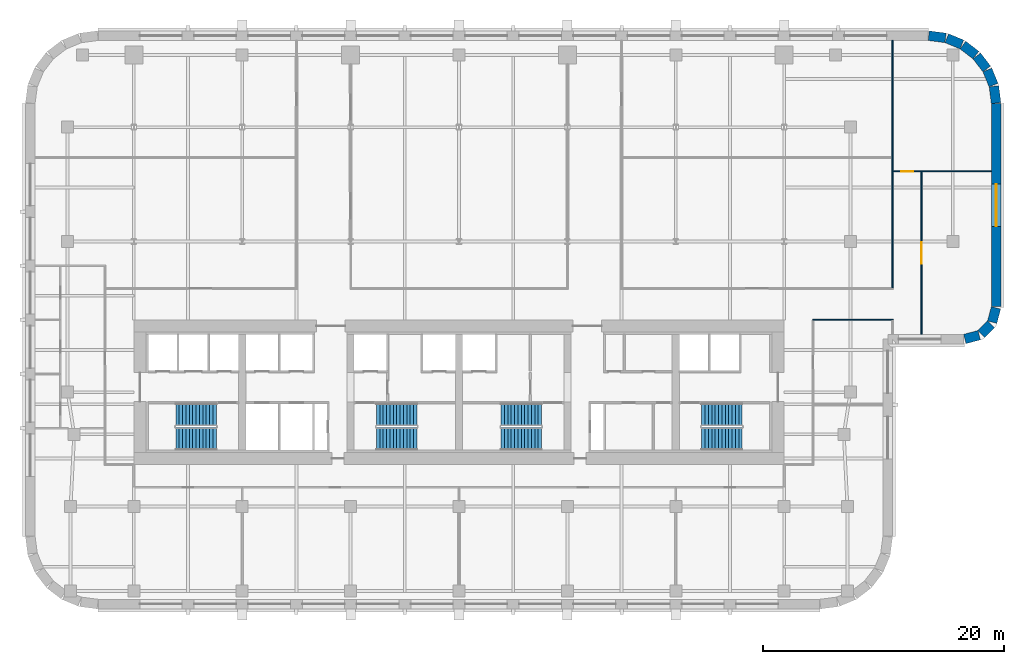
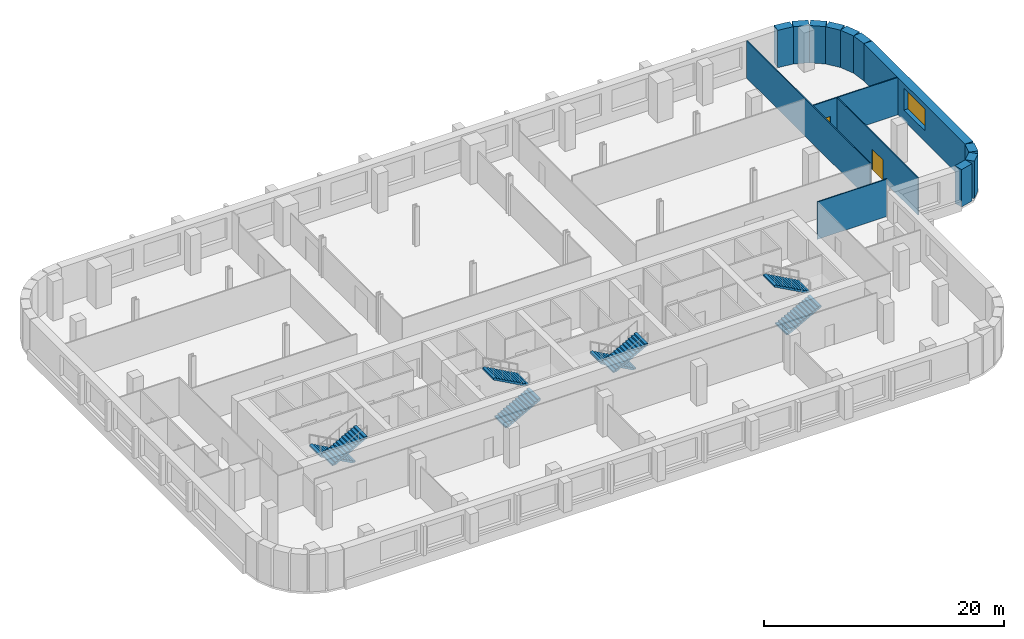
# One storey, part 7 of 9: 14 walls, 8 stair flights, 2 doors, 1 window, 3 openings, 4 elements without a shape of their own.
"""IFC4 building model written with IfcOpenShell, lengths in metres."""

from ifc_helpers import new_model, si_unit, direction, frame, frame_2d, origin, place, context, subcontext, project, spatial, polyline, rectangle, outline, extrude, material, layer, layer_set, type_object, element, fill, aggregate, save


model = new_model("IFC4")

# Units and contexts
model_context = context("Model", 3, precision=1e-05, world=origin(), true_north=direction((0.0, 1.0)))
body_context = subcontext(model_context, "Body", "Model", "MODEL_VIEW")
ifc_project = project(units=[si_unit("LENGTHUNIT", "METRE"), si_unit("AREAUNIT", "SQUARE_METRE"), si_unit("VOLUMEUNIT", "CUBIC_METRE"), si_unit("PLANEANGLEUNIT", "RADIAN"), si_unit("MASSUNIT", "GRAM", prefix="KILO")], contexts=[model_context])

# Site, building, storey
site_placement = place(None, origin())
site = spatial("IfcSite", under=ifc_project, at=site_placement, CompositionType="ELEMENT")
building_placement = place(site_placement, origin())
building = spatial("IfcBuilding", under=site, at=building_placement, Name="Zellij Exchange Tower", CompositionType="ELEMENT")
storey_placement = place(building_placement, frame((0.0, 0.0, 116.5)))
storey = spatial("IfcBuildingStorey", under=building, at=storey_placement, Name="L25", CompositionType="ELEMENT", Elevation=116.5)

# Walls
ifc_material_1 = material(Name="Precast concrete C40/50", Category="concrete")
ifc_layer_1 = layer(ifc_material_1, 0.800048828125)
ifc_layer_set_1 = layer_set([ifc_layer_1], Name="Precast concrete C40/50")
wall_type_1 = type_object("IfcWallType", Name="ENV-EW1 Precast stone-piered wall 800", PredefinedType="SOLIDWALL", material=ifc_layer_set_1)
wall_1_placement = place(storey_placement, frame((41.998291015625, -3.58642578125, 0.0), z_axis=(0.0, 0.0, 1.0), x_axis=(0.965892366842, 0.258943885187, 0.0)))
element("IfcWall", 1, at=wall_1_placement, inside=storey, type_object=wall_type_1, Name="fac.L25.09", PredefinedType="SOLIDWALL", context=body_context, shape_type="SweptSolid", body=[
    extrude(rectangle(XDim=1.233154296875, YDim=0.800048828125, at=frame_2d((0.61669921875, 0.0))), origin(), (0.0, 0.0, 1.0), 3.800048828125),
])
wall_2_placement = place(storey_placement, frame((43.36865234375, -3.163818359375, 0.0), z_axis=(0.0, 0.0, 1.0), x_axis=(0.707106781187, 0.707106781187, 0.0)))
element("IfcWall", 2, at=wall_2_placement, inside=storey, type_object=wall_type_1, Name="fac.L25.10", PredefinedType="SOLIDWALL", context=body_context, shape_type="SweptSolid", body=[
    extrude(rectangle(XDim=1.12451171875, YDim=0.800048828125, at=frame_2d((0.562255859375, 0.0))), origin(), (0.0, 0.0, 1.0), 3.800048828125),
])
wall_3_placement = place(storey_placement, frame((44.26708984375, -2.189453125, 0.0), z_axis=(0.0, 0.0, 1.0), x_axis=(0.258943885187, 0.965892366842, 0.0)))
element("IfcWall", 3, at=wall_3_placement, inside=storey, type_object=wall_type_1, Name="fac.L25.11", PredefinedType="SOLIDWALL", context=body_context, shape_type="SweptSolid", body=[
    extrude(rectangle(XDim=1.233154296875, YDim=0.800048828125, at=frame_2d((0.61669921875, 0.0))), origin(), (0.0, 0.0, 1.0), 3.800048828125),
])

# Wall, opening, window
wall_4_placement = place(storey_placement, frame((44.60009765625, -0.89453125, 0.0), z_axis=(0.0, 0.0, 1.0), x_axis=(0.0, 1.0, 0.0)))
wall_4 = element("IfcWall", 4, at=wall_4_placement, inside=storey, type_object=wall_type_1, Name="fac.L25.12", PredefinedType="SOLIDWALL", context=body_context, shape_type="SweptSolid", body=[
    extrude(rectangle(XDim=16.842041015625, YDim=0.800048828125, at=frame_2d((8.4208984375, 0.0))), origin(), (0.0, 0.0, 1.0), 3.800048828125),
])
opening_1_placement = place(wall_4_placement, frame((6.657958984375, 0.0, 1.10009765625)))
opening_1 = element("IfcOpeningElement", 5, at=opening_1_placement, cuts=wall_4, Name="Opening FZ2.16", PredefinedType="OPENING", context=body_context, shape_type="SweptSolid", body=[
    extrude(rectangle(XDim=3.5, YDim=2.199951171875, at=frame_2d((1.75, 1.10009765625))), frame((0.0, 0.412109375, 0.0), z_axis=(0.0, -1.0, 0.0), x_axis=(1.0, 0.0, 0.0)), (0.0, 0.0, 1.0), 0.823974609375),
])
ifc_material_2 = material(Name="Aluminium frame with insulating glass", Category="aluminium")
window_type = type_object("IfcWindowType", Name="ENV-W7 Window 3500x2200", PartitioningType="SINGLE_PANEL", PredefinedType="WINDOW", material=ifc_material_2)
window_placement = place(opening_1_placement, origin())
window = element("IfcWindow", 6, at=window_placement, inside=storey, type_object=window_type, Name="Window FZ2.16", OverallHeight=2.199951171875, OverallWidth=3.5, PartitioningType="SINGLE_PANEL", PredefinedType="WINDOW", context=body_context, shape_type="SweptSolid", body=[
    extrude(rectangle(XDim=3.5, YDim=2.199951171875, at=frame_2d((1.75, 1.10009765625))), frame((0.0, 0.030029296875, 0.0), z_axis=(0.0, -1.0, 0.0), x_axis=(1.0, 0.0, 0.0)), (0.0, 0.0, 1.0), 0.06005859375),
])
fill(opening_1, window)

# Walls
wall_5_placement = place(storey_placement, frame((44.5966796875, 15.999755859375, 0.0), z_axis=(0.0, 0.0, 1.0), x_axis=(-0.130517283865, 0.99144603414, 0.0)))
element("IfcWall", 7, at=wall_5_placement, inside=storey, type_object=wall_type_1, Name="fac.L25.13", PredefinedType="SOLIDWALL", context=body_context, shape_type="SweptSolid", body=[
    extrude(rectangle(XDim=1.408447265625, YDim=0.800048828125, at=frame_2d((0.7041015625, 0.0))), origin(), (0.0, 0.0, 1.0), 3.800048828125),
])
wall_6_placement = place(storey_placement, frame((44.3857421875, 17.497314453125, 0.0), z_axis=(0.0, 0.0, 1.0), x_axis=(-0.38276009378, 0.923847774587, 0.0)))
element("IfcWall", 8, at=wall_6_placement, inside=storey, type_object=wall_type_1, Name="fac.L25.14", PredefinedType="SOLIDWALL", context=body_context, shape_type="SweptSolid", body=[
    extrude(rectangle(XDim=1.35546875, YDim=0.800048828125, at=frame_2d((0.677734375, 0.0))), origin(), (0.0, 0.0, 1.0), 3.800048828125),
])
for number, where, z_axis, x_axis, name in (
    (9, (43.814697265625, 18.840087890625, 0.0), (0.0, 0.0, 1.0), (-0.608866226366, 0.793272915452, 0.0), "fac.L25.15"),
    (10, (42.91552734375, 19.9892578125, 0.0), (0.0, 0.0, 1.0), (-0.793272915452, 0.608866226366, 0.0), "fac.L25.16"),
):
    element("IfcWall", number, at=place(storey_placement, frame(where, z_axis=z_axis, x_axis=x_axis)), inside=storey, type_object=wall_type_1, Name=name, PredefinedType="SOLIDWALL", context=body_context, shape_type="SweptSolid", body=[
        extrude(rectangle(XDim=1.355712890625, YDim=0.800048828125, at=frame_2d((0.677734375, 0.0))), origin(), (0.0, 0.0, 1.0), 3.800048828125),
    ])
wall_7_placement = place(storey_placement, frame((41.74951171875, 20.866943359375, 0.0), z_axis=(0.0, 0.0, 1.0), x_axis=(-0.923847774587, 0.38276009378, 0.0)))
element("IfcWall", 11, at=wall_7_placement, inside=storey, type_object=wall_type_1, Name="fac.L25.17", PredefinedType="SOLIDWALL", context=body_context, shape_type="SweptSolid", body=[
    extrude(rectangle(XDim=1.35546875, YDim=0.800048828125, at=frame_2d((0.677734375, 0.0))), origin(), (0.0, 0.0, 1.0), 3.800048828125),
])
wall_8_placement = place(storey_placement, frame((40.396240234375, 21.412841796875, 0.0), z_axis=(0.0, 0.0, 1.0), x_axis=(-0.99144603414, 0.130517283865, 0.0)))
element("IfcWall", 12, at=wall_8_placement, inside=storey, type_object=wall_type_1, Name="fac.L25.18", PredefinedType="SOLIDWALL", context=body_context, shape_type="SweptSolid", body=[
    extrude(rectangle(XDim=1.408447265625, YDim=0.800048828125, at=frame_2d((0.7041015625, 0.0))), origin(), (0.0, 0.0, 1.0), 3.800048828125),
])

# Wall, opening, door
ifc_material_3 = material(Name="Gypsum board partition on steel studs", Category="steel")
ifc_layer_2 = layer(ifc_material_3, 0.10009765625)
ifc_layer_set_2 = layer_set([ifc_layer_2], Name="Gypsum board partition on steel studs")
wall_type_2 = type_object("IfcWallType", Name="FIT-PARTITION-100", PredefinedType="PARTITIONING", material=ifc_layer_set_2)
wall_9_placement = place(storey_placement, frame((38.39990234375, -3.199951171875, 0.0), z_axis=(0.0, 0.0, 1.0), x_axis=(0.0, 1.0, 0.0)))
wall_9 = element("IfcWall", 13, at=wall_9_placement, inside=storey, type_object=wall_type_2, Name="FIT-PARTITION-100 020", PredefinedType="PARTITIONING", context=body_context, shape_type="SweptSolid", body=[
    extrude(rectangle(XDim=13.47998046875, YDim=0.10009765625, at=frame_2d((6.739990234375, 0.0))), origin(), (0.0, 0.0, 1.0), 3.800048828125),
])
opening_2_placement = place(wall_9_placement, frame((5.85009765625, 0.0, 0.0)))
opening_2 = element("IfcOpeningElement", 14, at=opening_2_placement, cuts=wall_9, Name="Opening TE.12", PredefinedType="OPENING", context=body_context, shape_type="SweptSolid", body=[
    extrude(rectangle(XDim=1.800048828125, YDim=2.10009765625, at=frame_2d((0.89990234375, 1.050048828125))), frame((0.0, 0.06201171875, 0.0), z_axis=(0.0, -1.0, 0.0), x_axis=(1.0, 0.0, 0.0)), (0.0, 0.0, 1.0), 0.1240234375),
])
ifc_material_4 = material(Name="Timber door set", Category="wood")
door_type_1 = type_object("IfcDoorType", Name="FIT-D3-DOUBLE-1800X2100", OperationType="DOUBLE_DOOR_SINGLE_SWING", PredefinedType="DOOR", material=ifc_material_4)
door_1_placement = place(opening_2_placement, origin())
door_1 = element("IfcDoor", 15, at=door_1_placement, inside=storey, type_object=door_type_1, Name="Door TE.12", OperationType="DOUBLE_DOOR_SINGLE_SWING", OverallHeight=2.10009765625, OverallWidth=1.800048828125, PredefinedType="DOOR", context=body_context, shape_type="SweptSolid", body=[
    extrude(rectangle(XDim=1.800048828125, YDim=2.10009765625, at=frame_2d((0.89990234375, 1.050048828125))), frame((0.0, 0.02490234375, 0.0), z_axis=(0.0, -1.0, 0.0), x_axis=(1.0, 0.0, 0.0)), (0.0, 0.0, 1.0), 0.050048828125),
])
fill(opening_2, door_1)

# Walls
wall_10_placement = place(storey_placement, frame((29.35009765625, -2.0, 0.0), z_axis=(0.0, 0.0, 1.0), x_axis=(1.0, 0.0, 0.0)))
element("IfcWall", 16, at=wall_10_placement, inside=storey, type_object=wall_type_2, Name="FIT-PARTITION-100 022", PredefinedType="PARTITIONING", context=body_context, shape_type="SweptSolid", body=[
    extrude(rectangle(XDim=6.699951171875, YDim=0.10009765625, at=frame_2d((3.35009765625, 0.0))), origin(), (0.0, 0.0, 1.0), 3.800048828125),
])
wall_11_placement = place(storey_placement, frame((36.0, 0.64990234375, 0.0), z_axis=(0.0, 0.0, 1.0), x_axis=(0.0, 1.0, 0.0)))
element("IfcWall", 17, at=wall_11_placement, inside=storey, type_object=wall_type_2, Name="FIT-PARTITION-100 036", PredefinedType="PARTITIONING", context=body_context, shape_type="SweptSolid", body=[
    extrude(rectangle(XDim=20.550048828125, YDim=0.10009765625, at=frame_2d((10.27490234375, 0.0))), origin(), (0.0, 0.0, 1.0), 3.800048828125),
])

# Wall, opening, door
wall_12_placement = place(storey_placement, frame((36.050048828125, 10.330078125, 0.0), z_axis=(0.0, 0.0, 1.0), x_axis=(1.0, 0.0, 0.0)))
wall_12 = element("IfcWall", 18, at=wall_12_placement, inside=storey, type_object=wall_type_2, Name="FIT-PARTITION-100 038", PredefinedType="PARTITIONING", context=body_context, shape_type="SweptSolid", body=[
    extrude(rectangle(XDim=8.14990234375, YDim=0.10009765625, at=frame_2d((4.074951171875, 0.0))), origin(), (0.0, 0.0, 1.0), 3.800048828125),
])
opening_3_placement = place(wall_12_placement, frame((0.64990234375, 0.0, 0.0)))
opening_3 = element("IfcOpeningElement", 19, at=opening_3_placement, cuts=wall_12, Name="Opening TE.14", PredefinedType="OPENING", context=body_context, shape_type="SweptSolid", body=[
    extrude(rectangle(XDim=1.0, YDim=2.10009765625, at=frame_2d((0.5, 1.050048828125))), frame((0.0, 0.06201171875, 0.0), z_axis=(0.0, -1.0, 0.0), x_axis=(1.0, 0.0, 0.0)), (0.0, 0.0, 1.0), 0.1240234375),
])
door_type_2 = type_object("IfcDoorType", Name="FIT-D2-WIDE-1000X2100", OperationType="SINGLE_SWING_LEFT", PredefinedType="DOOR", material=ifc_material_4)
door_2_placement = place(opening_3_placement, origin())
door_2 = element("IfcDoor", 20, at=door_2_placement, inside=storey, type_object=door_type_2, Name="Door TE.14", OperationType="SINGLE_SWING_LEFT", OverallHeight=2.10009765625, OverallWidth=1.0, PredefinedType="DOOR", context=body_context, shape_type="SweptSolid", body=[
    extrude(rectangle(XDim=1.0, YDim=2.10009765625, at=frame_2d((0.5, 1.050048828125))), frame((0.0, 0.02490234375, 0.0), z_axis=(0.0, -1.0, 0.0), x_axis=(1.0, 0.0, 0.0)), (0.0, 0.0, 1.0), 0.050048828125),
])
fill(opening_3, door_2)

# Stair, stair flights
ifc_material_5 = material(Name="Concrete C40/50", Category="concrete")
stair_type = type_object("IfcStairType", Name="CORE-ST exit stair 1850 wide", PredefinedType="HALF_TURN_STAIR", material=ifc_material_5)
stair_1_placement = place(storey_placement, origin())
stair_1 = element("IfcStair", 21, at=stair_1_placement, inside=storey, type_object=stair_type, Name="L25 exit stair ST1", PredefinedType="HALF_TURN_STAIR")
stair_flight_type = type_object("IfcStairFlightType", Name="CORE-SF flight 1850 riser 153.8 going 280", PredefinedType="STRAIGHT", material=ifc_material_5)
stair_flight_1_placement = place(storey_placement, frame((-20.14990234375, -9.875, 0.0), z_axis=(0.0, 0.0, 1.0), x_axis=(-1.0, 0.0, 0.0)))
stair_flight_1 = element("IfcStairFlight", 22, at=stair_flight_1_placement, type_object=stair_flight_type, Name="ST1 flight 1", NumberOfRisers=13, NumberOfTreads=12, PredefinedType="STRAIGHT", RiserHeight=0.153846154, TreadLength=0.28, context=body_context, shape_type="SweptSolid", body=[
    extrude(outline(polyline([(0.0, 0.0), (0.0, 0.15380859375), (0.280029296875, 0.15380859375), (0.280029296875, 0.3076171875), (0.56005859375, 0.3076171875), (0.56005859375, 0.46142578125), (0.840087890625, 0.46142578125), (0.840087890625, 0.615478515625), (1.1201171875, 0.615478515625), (1.1201171875, 0.769287109375), (1.39990234375, 0.769287109375), (1.39990234375, 0.923095703125), (1.679931640625, 0.923095703125), (1.679931640625, 1.076904296875), (1.9599609375, 1.076904296875), (1.9599609375, 1.230712890625), (2.239990234375, 1.230712890625), (2.239990234375, 1.384521484375), (2.52001953125, 1.384521484375), (2.52001953125, 1.53857421875), (2.800048828125, 1.53857421875), (2.800048828125, 1.6923828125), (3.080078125, 1.6923828125), (3.080078125, 1.84619140625), (3.360107421875, 1.84619140625), (3.360107421875, 2.0), (3.360107421875, 1.675048828125), (0.311279296875, 0.0), (0.0, 0.0)])), frame((0.0, 0.925048828125, 0.0), z_axis=(0.0, -1.0, 0.0), x_axis=(1.0, 0.0, 0.0)), (0.0, 0.0, 1.0), 1.85009765625),
])
stair_flight_2_placement = place(storey_placement, frame((-23.510009765625, -11.875, 2.0), z_axis=(0.0, 0.0, 1.0), x_axis=(1.0, 0.0, 0.0)))
stair_flight_2 = element("IfcStairFlight", 23, at=stair_flight_2_placement, type_object=stair_flight_type, Name="ST1 flight 2", NumberOfRisers=13, NumberOfTreads=12, PredefinedType="STRAIGHT", RiserHeight=0.153846154, TreadLength=0.28, context=body_context, shape_type="SweptSolid", body=[
    extrude(outline(polyline([(0.0, 0.0), (0.0, 0.15380859375), (0.280029296875, 0.15380859375), (0.280029296875, 0.3076171875), (0.56005859375, 0.3076171875), (0.56005859375, 0.46142578125), (0.840087890625, 0.46142578125), (0.840087890625, 0.615478515625), (1.1201171875, 0.615478515625), (1.1201171875, 0.769287109375), (1.39990234375, 0.769287109375), (1.39990234375, 0.923095703125), (1.679931640625, 0.923095703125), (1.679931640625, 1.076904296875), (1.9599609375, 1.076904296875), (1.9599609375, 1.230712890625), (2.239990234375, 1.230712890625), (2.239990234375, 1.384521484375), (2.52001953125, 1.384521484375), (2.52001953125, 1.53857421875), (2.800048828125, 1.53857421875), (2.800048828125, 1.6923828125), (3.080078125, 1.6923828125), (3.080078125, 1.84619140625), (3.360107421875, 1.84619140625), (3.360107421875, 2.0), (3.360107421875, 1.675048828125), (0.311279296875, 0.0), (0.0, 0.0)])), frame((0.0, 0.925048828125, 0.0), z_axis=(0.0, -1.0, 0.0), x_axis=(1.0, 0.0, 0.0)), (0.0, 0.0, 1.0), 1.85009765625),
])
aggregate(stair_1, [stair_flight_1, stair_flight_2])

stair_2_placement = place(storey_placement, origin())
stair_2 = element("IfcStair", 24, at=stair_2_placement, inside=storey, type_object=stair_type, Name="L25 exit stair ST2", PredefinedType="HALF_TURN_STAIR")
stair_flight_3_placement = place(storey_placement, frame((-6.85009765625, -11.875, 0.0), z_axis=(0.0, 0.0, 1.0), x_axis=(1.0, 0.0, 0.0)))
stair_flight_3 = element("IfcStairFlight", 25, at=stair_flight_3_placement, type_object=stair_flight_type, Name="ST2 flight 1", NumberOfRisers=13, NumberOfTreads=12, PredefinedType="STRAIGHT", RiserHeight=0.153846154, TreadLength=0.28, context=body_context, shape_type="SweptSolid", body=[
    extrude(outline(polyline([(0.0, 0.0), (0.0, 0.15380859375), (0.280029296875, 0.15380859375), (0.280029296875, 0.3076171875), (0.56005859375, 0.3076171875), (0.56005859375, 0.46142578125), (0.840087890625, 0.46142578125), (0.840087890625, 0.615478515625), (1.1201171875, 0.615478515625), (1.1201171875, 0.769287109375), (1.39990234375, 0.769287109375), (1.39990234375, 0.923095703125), (1.679931640625, 0.923095703125), (1.679931640625, 1.076904296875), (1.9599609375, 1.076904296875), (1.9599609375, 1.230712890625), (2.239990234375, 1.230712890625), (2.239990234375, 1.384521484375), (2.52001953125, 1.384521484375), (2.52001953125, 1.53857421875), (2.800048828125, 1.53857421875), (2.800048828125, 1.6923828125), (3.080078125, 1.6923828125), (3.080078125, 1.84619140625), (3.360107421875, 1.84619140625), (3.360107421875, 2.0), (3.360107421875, 1.675048828125), (0.311279296875, 0.0), (0.0, 0.0)])), frame((0.0, 0.925048828125, 0.0), z_axis=(0.0, -1.0, 0.0), x_axis=(1.0, 0.0, 0.0)), (0.0, 0.0, 1.0), 1.85009765625),
])
stair_flight_4_placement = place(storey_placement, frame((-3.489990234375, -9.875, 2.0), z_axis=(0.0, 0.0, 1.0), x_axis=(-1.0, 0.0, 0.0)))
stair_flight_4 = element("IfcStairFlight", 26, at=stair_flight_4_placement, type_object=stair_flight_type, Name="ST2 flight 2", NumberOfRisers=13, NumberOfTreads=12, PredefinedType="STRAIGHT", RiserHeight=0.153846154, TreadLength=0.28, context=body_context, shape_type="SweptSolid", body=[
    extrude(outline(polyline([(0.0, 0.0), (0.0, 0.15380859375), (0.280029296875, 0.15380859375), (0.280029296875, 0.3076171875), (0.56005859375, 0.3076171875), (0.56005859375, 0.46142578125), (0.840087890625, 0.46142578125), (0.840087890625, 0.615478515625), (1.1201171875, 0.615478515625), (1.1201171875, 0.769287109375), (1.39990234375, 0.769287109375), (1.39990234375, 0.923095703125), (1.679931640625, 0.923095703125), (1.679931640625, 1.076904296875), (1.9599609375, 1.076904296875), (1.9599609375, 1.230712890625), (2.239990234375, 1.230712890625), (2.239990234375, 1.384521484375), (2.52001953125, 1.384521484375), (2.52001953125, 1.53857421875), (2.800048828125, 1.53857421875), (2.800048828125, 1.6923828125), (3.080078125, 1.6923828125), (3.080078125, 1.84619140625), (3.360107421875, 1.84619140625), (3.360107421875, 2.0), (3.360107421875, 1.675048828125), (0.311279296875, 0.0), (0.0, 0.0)])), frame((0.0, 0.925048828125, 0.0), z_axis=(0.0, -1.0, 0.0), x_axis=(1.0, 0.0, 0.0)), (0.0, 0.0, 1.0), 1.85009765625),
])
aggregate(stair_2, [stair_flight_3, stair_flight_4])

stair_3_placement = place(storey_placement, origin())
stair_3 = element("IfcStair", 27, at=stair_3_placement, inside=storey, type_object=stair_type, Name="L25 exit stair ST3", PredefinedType="HALF_TURN_STAIR")
stair_flight_5_placement = place(storey_placement, frame((6.85009765625, -9.875, 0.0), z_axis=(0.0, 0.0, 1.0), x_axis=(-1.0, 0.0, 0.0)))
stair_flight_5 = element("IfcStairFlight", 28, at=stair_flight_5_placement, type_object=stair_flight_type, Name="ST3 flight 1", NumberOfRisers=13, NumberOfTreads=12, PredefinedType="STRAIGHT", RiserHeight=0.153846154, TreadLength=0.28, context=body_context, shape_type="SweptSolid", body=[
    extrude(outline(polyline([(0.0, 0.0), (0.0, 0.15380859375), (0.280029296875, 0.15380859375), (0.280029296875, 0.3076171875), (0.56005859375, 0.3076171875), (0.56005859375, 0.46142578125), (0.840087890625, 0.46142578125), (0.840087890625, 0.615478515625), (1.1201171875, 0.615478515625), (1.1201171875, 0.769287109375), (1.39990234375, 0.769287109375), (1.39990234375, 0.923095703125), (1.679931640625, 0.923095703125), (1.679931640625, 1.076904296875), (1.9599609375, 1.076904296875), (1.9599609375, 1.230712890625), (2.239990234375, 1.230712890625), (2.239990234375, 1.384521484375), (2.52001953125, 1.384521484375), (2.52001953125, 1.53857421875), (2.800048828125, 1.53857421875), (2.800048828125, 1.6923828125), (3.080078125, 1.6923828125), (3.080078125, 1.84619140625), (3.360107421875, 1.84619140625), (3.360107421875, 2.0), (3.360107421875, 1.675048828125), (0.311279296875, 0.0), (0.0, 0.0)])), frame((0.0, 0.925048828125, 0.0), z_axis=(0.0, -1.0, 0.0), x_axis=(1.0, 0.0, 0.0)), (0.0, 0.0, 1.0), 1.85009765625),
])
stair_flight_6_placement = place(storey_placement, frame((3.489990234375, -11.875, 2.0), z_axis=(0.0, 0.0, 1.0), x_axis=(1.0, 0.0, 0.0)))
stair_flight_6 = element("IfcStairFlight", 29, at=stair_flight_6_placement, type_object=stair_flight_type, Name="ST3 flight 2", NumberOfRisers=13, NumberOfTreads=12, PredefinedType="STRAIGHT", RiserHeight=0.153846154, TreadLength=0.28, context=body_context, shape_type="SweptSolid", body=[
    extrude(outline(polyline([(0.0, 0.0), (0.0, 0.15380859375), (0.280029296875, 0.15380859375), (0.280029296875, 0.3076171875), (0.56005859375, 0.3076171875), (0.56005859375, 0.46142578125), (0.840087890625, 0.46142578125), (0.840087890625, 0.615478515625), (1.1201171875, 0.615478515625), (1.1201171875, 0.769287109375), (1.39990234375, 0.769287109375), (1.39990234375, 0.923095703125), (1.679931640625, 0.923095703125), (1.679931640625, 1.076904296875), (1.9599609375, 1.076904296875), (1.9599609375, 1.230712890625), (2.239990234375, 1.230712890625), (2.239990234375, 1.384521484375), (2.52001953125, 1.384521484375), (2.52001953125, 1.53857421875), (2.800048828125, 1.53857421875), (2.800048828125, 1.6923828125), (3.080078125, 1.6923828125), (3.080078125, 1.84619140625), (3.360107421875, 1.84619140625), (3.360107421875, 2.0), (3.360107421875, 1.675048828125), (0.311279296875, 0.0), (0.0, 0.0)])), frame((0.0, 0.925048828125, 0.0), z_axis=(0.0, -1.0, 0.0), x_axis=(1.0, 0.0, 0.0)), (0.0, 0.0, 1.0), 1.85009765625),
])
aggregate(stair_3, [stair_flight_5, stair_flight_6])

stair_4_placement = place(storey_placement, origin())
stair_4 = element("IfcStair", 30, at=stair_4_placement, inside=storey, type_object=stair_type, Name="L25 exit stair ST4", PredefinedType="HALF_TURN_STAIR")
stair_flight_7_placement = place(storey_placement, frame((20.14990234375, -11.875, 0.0), z_axis=(0.0, 0.0, 1.0), x_axis=(1.0, 0.0, 0.0)))
stair_flight_7 = element("IfcStairFlight", 31, at=stair_flight_7_placement, type_object=stair_flight_type, Name="ST4 flight 1", NumberOfRisers=13, NumberOfTreads=12, PredefinedType="STRAIGHT", RiserHeight=0.153846154, TreadLength=0.28, context=body_context, shape_type="SweptSolid", body=[
    extrude(outline(polyline([(0.0, 0.0), (0.0, 0.15380859375), (0.280029296875, 0.15380859375), (0.280029296875, 0.3076171875), (0.56005859375, 0.3076171875), (0.56005859375, 0.46142578125), (0.840087890625, 0.46142578125), (0.840087890625, 0.615478515625), (1.1201171875, 0.615478515625), (1.1201171875, 0.769287109375), (1.39990234375, 0.769287109375), (1.39990234375, 0.923095703125), (1.679931640625, 0.923095703125), (1.679931640625, 1.076904296875), (1.9599609375, 1.076904296875), (1.9599609375, 1.230712890625), (2.239990234375, 1.230712890625), (2.239990234375, 1.384521484375), (2.52001953125, 1.384521484375), (2.52001953125, 1.53857421875), (2.800048828125, 1.53857421875), (2.800048828125, 1.6923828125), (3.080078125, 1.6923828125), (3.080078125, 1.84619140625), (3.360107421875, 1.84619140625), (3.360107421875, 2.0), (3.360107421875, 1.675048828125), (0.311279296875, 0.0), (0.0, 0.0)])), frame((0.0, 0.925048828125, 0.0), z_axis=(0.0, -1.0, 0.0), x_axis=(1.0, 0.0, 0.0)), (0.0, 0.0, 1.0), 1.85009765625),
])
stair_flight_8_placement = place(storey_placement, frame((23.510009765625, -9.875, 2.0), z_axis=(0.0, 0.0, 1.0), x_axis=(-1.0, 0.0, 0.0)))
stair_flight_8 = element("IfcStairFlight", 32, at=stair_flight_8_placement, type_object=stair_flight_type, Name="ST4 flight 2", NumberOfRisers=13, NumberOfTreads=12, PredefinedType="STRAIGHT", RiserHeight=0.153846154, TreadLength=0.28, context=body_context, shape_type="SweptSolid", body=[
    extrude(outline(polyline([(0.0, 0.0), (0.0, 0.15380859375), (0.280029296875, 0.15380859375), (0.280029296875, 0.3076171875), (0.56005859375, 0.3076171875), (0.56005859375, 0.46142578125), (0.840087890625, 0.46142578125), (0.840087890625, 0.615478515625), (1.1201171875, 0.615478515625), (1.1201171875, 0.769287109375), (1.39990234375, 0.769287109375), (1.39990234375, 0.923095703125), (1.679931640625, 0.923095703125), (1.679931640625, 1.076904296875), (1.9599609375, 1.076904296875), (1.9599609375, 1.230712890625), (2.239990234375, 1.230712890625), (2.239990234375, 1.384521484375), (2.52001953125, 1.384521484375), (2.52001953125, 1.53857421875), (2.800048828125, 1.53857421875), (2.800048828125, 1.6923828125), (3.080078125, 1.6923828125), (3.080078125, 1.84619140625), (3.360107421875, 1.84619140625), (3.360107421875, 2.0), (3.360107421875, 1.675048828125), (0.311279296875, 0.0), (0.0, 0.0)])), frame((0.0, 0.925048828125, 0.0), z_axis=(0.0, -1.0, 0.0), x_axis=(1.0, 0.0, 0.0)), (0.0, 0.0, 1.0), 1.85009765625),
])
aggregate(stair_4, [stair_flight_7, stair_flight_8])

save(model, "model.ifc")
